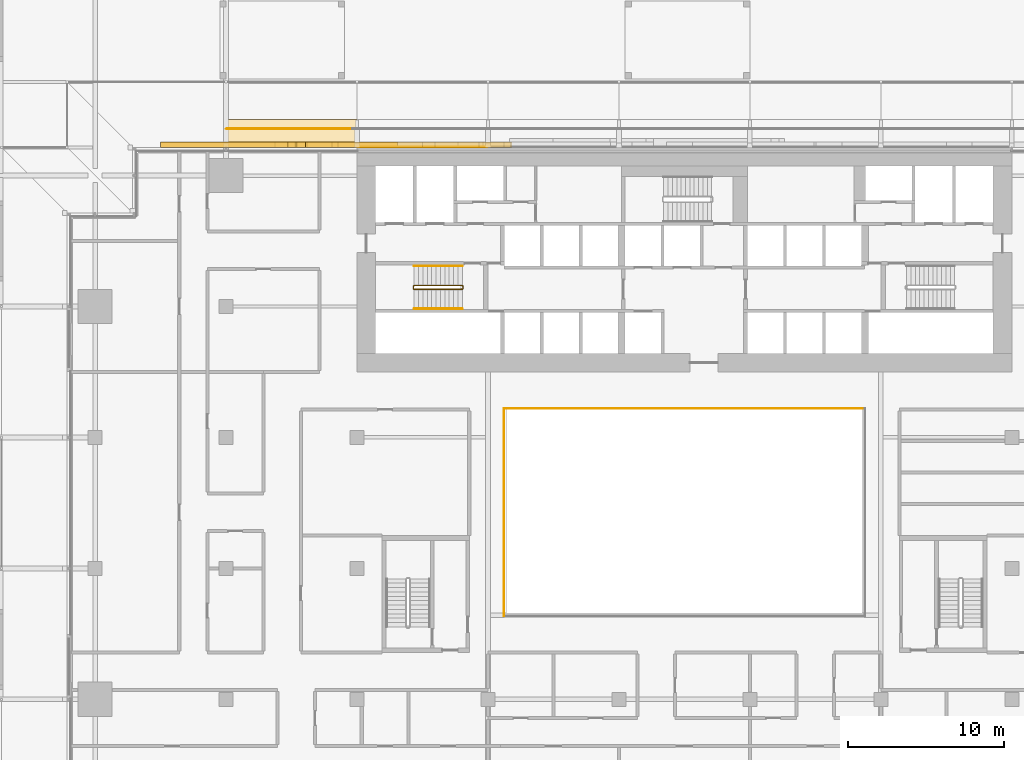
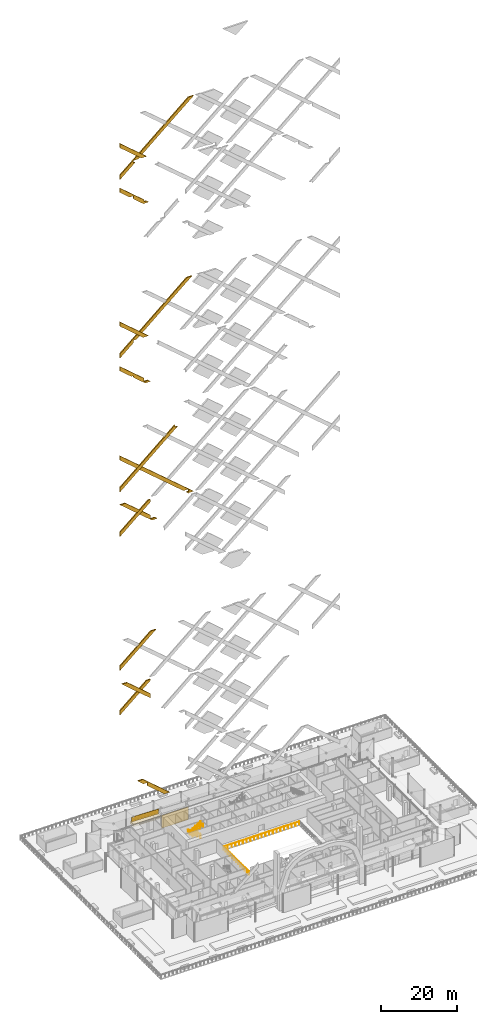
# One storey, part 37 of 60: 16 coverings, 6 railings.
"""IFC4 building model written with IfcOpenShell, lengths in metres."""

from ifc_helpers import new_model, si_unit, direction, frame, origin, origin_2d, place, context, subcontext, project, spatial, polyline, rectangle, circle, outline, extrude, material, layer, layer_set, type_object, element, save


model = new_model("IFC4")

# Units and contexts
model_context = context("Model", 3, precision=1e-05, world=origin(), true_north=direction((0.0, 1.0)))
body_context = subcontext(model_context, "Body", "Model", "MODEL_VIEW")
ifc_project = project(units=[si_unit("LENGTHUNIT", "METRE"), si_unit("AREAUNIT", "SQUARE_METRE"), si_unit("VOLUMEUNIT", "CUBIC_METRE"), si_unit("PLANEANGLEUNIT", "RADIAN"), si_unit("MASSUNIT", "GRAM", prefix="KILO")], contexts=[model_context])

# Site, building, storey
site_placement = place(None, origin())
site = spatial("IfcSite", under=ifc_project, at=site_placement, CompositionType="ELEMENT")
building_placement = place(site_placement, origin())
building = spatial("IfcBuilding", under=site, at=building_placement, Name="Saffron Gate Tower", CompositionType="ELEMENT")
storey_placement = place(building_placement, frame((0.0, 0.0, 19.199951171875)))
storey = spatial("IfcBuildingStorey", under=building, at=storey_placement, Name="L03", CompositionType="ELEMENT", Elevation=19.199951171875)

# Railings
ifc_material_1 = material(Name="Stainless steel and laminated glass", Category="steel")
railing_type_1 = type_object("IfcRailingType", Name="AG1 Atrium edge guard 1100", PredefinedType="GUARDRAIL", material=ifc_material_1)
railing_1_placement = place(storey_placement, frame((76.02001953125, 45.5400390625, 0.0)))
element("IfcRailing", 1, at=railing_1_placement, inside=storey, type_object=railing_type_1, Name="Guard S1-1", PredefinedType="GUARDRAIL", context=body_context, shape_type="SweptSolid", body=[
    extrude(circle(Radius=0.02392578125, at=origin_2d()), frame((0.0, 0.0, 1.076171875), z_axis=(0.0, 1.0, 0.0), x_axis=(-1.0, 0.0, 0.0)), (0.0, 0.0, 1.0), 13.320068359375),
    extrude(circle(Radius=0.02099609375, at=origin_2d()), origin(), (0.0, 0.0, 1.0), 1.052001953125),
    extrude(circle(Radius=0.02099609375, at=origin_2d()), frame((0.0, 1.110107421875, 0.0)), (0.0, 0.0, 1.0), 1.052001953125),
    extrude(circle(Radius=0.02099609375, at=origin_2d()), frame((0.0, 2.219970703125, 0.0)), (0.0, 0.0, 1.0), 1.052001953125),
    extrude(circle(Radius=0.02099609375, at=origin_2d()), frame((0.0, 3.330078125, 0.0)), (0.0, 0.0, 1.0), 1.052001953125),
    extrude(circle(Radius=0.02099609375, at=origin_2d()), frame((0.0, 4.43994140625, 0.0)), (0.0, 0.0, 1.0), 1.052001953125),
    extrude(circle(Radius=0.02099609375, at=origin_2d()), frame((0.0, 5.550048828125, 0.0)), (0.0, 0.0, 1.0), 1.052001953125),
    extrude(circle(Radius=0.02099609375, at=origin_2d()), frame((0.0, 6.66015625, 0.0)), (0.0, 0.0, 1.0), 1.052001953125),
    extrude(circle(Radius=0.02099609375, at=origin_2d()), frame((0.0, 7.77001953125, 0.0)), (0.0, 0.0, 1.0), 1.052001953125),
    extrude(circle(Radius=0.02099609375, at=origin_2d()), frame((0.0, 8.880126953125, 0.0)), (0.0, 0.0, 1.0), 1.052001953125),
    extrude(circle(Radius=0.02099609375, at=origin_2d()), frame((0.0, 9.989990234375, 0.0)), (0.0, 0.0, 1.0), 1.052001953125),
    extrude(circle(Radius=0.02099609375, at=origin_2d()), frame((0.0, 11.10009765625, 0.0)), (0.0, 0.0, 1.0), 1.052001953125),
    extrude(circle(Radius=0.02099609375, at=origin_2d()), frame((0.0, 12.2099609375, 0.0)), (0.0, 0.0, 1.0), 1.052001953125),
    extrude(circle(Radius=0.02099609375, at=origin_2d()), frame((0.0, 13.320068359375, 0.0)), (0.0, 0.0, 1.0), 1.052001953125),
])
railing_2_placement = place(storey_placement, frame((76.139892578125, 58.860107421875, 0.0)))
element("IfcRailing", 2, at=railing_2_placement, inside=storey, type_object=railing_type_1, Name="Guard S1-2", PredefinedType="GUARDRAIL", context=body_context, shape_type="SweptSolid", body=[
    extrude(circle(Radius=0.02392578125, at=origin_2d()), frame((0.0, 0.0, 1.076171875), z_axis=(1.0, 0.0, 0.0), x_axis=(0.0, 1.0, 0.0)), (0.0, 0.0, 1.0), 22.920166015625),
    extrude(circle(Radius=0.02099609375, at=origin_2d()), origin(), (0.0, 0.0, 1.0), 1.052001953125),
    extrude(circle(Radius=0.02099609375, at=origin_2d()), frame((1.14599609375, 0.0, 0.0)), (0.0, 0.0, 1.0), 1.052001953125),
    extrude(circle(Radius=0.02099609375, at=origin_2d()), frame((2.2919921875, 0.0, 0.0)), (0.0, 0.0, 1.0), 1.052001953125),
    extrude(circle(Radius=0.02099609375, at=origin_2d()), frame((3.43798828125, 0.0, 0.0)), (0.0, 0.0, 1.0), 1.052001953125),
    extrude(circle(Radius=0.02099609375, at=origin_2d()), frame((4.583984375, 0.0, 0.0)), (0.0, 0.0, 1.0), 1.052001953125),
    extrude(circle(Radius=0.02099609375, at=origin_2d()), frame((5.72998046875, 0.0, 0.0)), (0.0, 0.0, 1.0), 1.052001953125),
    extrude(circle(Radius=0.02099609375, at=origin_2d()), frame((6.8759765625, 0.0, 0.0)), (0.0, 0.0, 1.0), 1.052001953125),
    extrude(circle(Radius=0.02099609375, at=origin_2d()), frame((8.02197265625, 0.0, 0.0)), (0.0, 0.0, 1.0), 1.052001953125),
    extrude(circle(Radius=0.02099609375, at=origin_2d()), frame((9.16796875, 0.0, 0.0)), (0.0, 0.0, 1.0), 1.052001953125),
    extrude(circle(Radius=0.02099609375, at=origin_2d()), frame((10.31396484375, 0.0, 0.0)), (0.0, 0.0, 1.0), 1.052001953125),
    extrude(circle(Radius=0.02099609375, at=origin_2d()), frame((11.4599609375, 0.0, 0.0)), (0.0, 0.0, 1.0), 1.052001953125),
    extrude(circle(Radius=0.02099609375, at=origin_2d()), frame((12.606201171875, 0.0, 0.0)), (0.0, 0.0, 1.0), 1.052001953125),
    extrude(circle(Radius=0.02099609375, at=origin_2d()), frame((13.752197265625, 0.0, 0.0)), (0.0, 0.0, 1.0), 1.052001953125),
    extrude(circle(Radius=0.02099609375, at=origin_2d()), frame((14.898193359375, 0.0, 0.0)), (0.0, 0.0, 1.0), 1.052001953125),
    extrude(circle(Radius=0.02099609375, at=origin_2d()), frame((16.044189453125, 0.0, 0.0)), (0.0, 0.0, 1.0), 1.052001953125),
    extrude(circle(Radius=0.02099609375, at=origin_2d()), frame((17.190185546875, 0.0, 0.0)), (0.0, 0.0, 1.0), 1.052001953125),
    extrude(circle(Radius=0.02099609375, at=origin_2d()), frame((18.336181640625, 0.0, 0.0)), (0.0, 0.0, 1.0), 1.052001953125),
    extrude(circle(Radius=0.02099609375, at=origin_2d()), frame((19.482177734375, 0.0, 0.0)), (0.0, 0.0, 1.0), 1.052001953125),
    extrude(circle(Radius=0.02099609375, at=origin_2d()), frame((20.628173828125, 0.0, 0.0)), (0.0, 0.0, 1.0), 1.052001953125),
    extrude(circle(Radius=0.02099609375, at=origin_2d()), frame((21.774169921875, 0.0, 0.0)), (0.0, 0.0, 1.0), 1.052001953125),
    extrude(circle(Radius=0.02099609375, at=origin_2d()), frame((22.920166015625, 0.0, 0.0)), (0.0, 0.0, 1.0), 1.052001953125),
])

# Covering
ifc_material_2 = material(Name="Ceramic-printed bronze insulated panel")
ifc_layer_1 = layer(ifc_material_2, 0.0400390625)
ifc_layer_set_1 = layer_set([ifc_layer_1], Name="CLD1 ceramic-printed cladding panel 40")
covering_type_1 = type_object("IfcCoveringType", Name="CLD1 ceramic-printed cladding panel 40", PredefinedType="CLADDING", material=ifc_layer_set_1)
covering_1_placement = place(storey_placement, origin())
element("IfcCovering", 3, at=covering_1_placement, inside=storey, type_object=covering_type_1, Name="CLADDING ceramic-printed panel", PredefinedType="CLADDING", context=body_context, shape_type="SweptSolid", body=[
    extrude(outline(polyline([(74.9599609375, 75.639892578125), (66.639892578125, 75.639892578125), (66.639892578125, 75.60009765625), (74.9599609375, 75.60009765625), (74.9599609375, 75.639892578125)])), origin(), (0.0, 0.0, 1.0), 4.199951171875),
])

# Railings
railing_type_2 = type_object("IfcRailingType", Name="CR1 Stair guard 1100", PredefinedType="GUARDRAIL", material=ifc_material_1)
railing_3_placement = place(storey_placement, frame((73.39990234375, 66.550048828125, 0.0)))
element("IfcRailing", 4, at=railing_3_placement, inside=storey, type_object=railing_type_2, Name="L03 ST-A stair guard 1", PredefinedType="GUARDRAIL", context=body_context, shape_type="SweptSolid", body=[
    extrude(circle(Radius=0.02392578125, at=origin_2d()), frame((0.0, 0.0, 1.076171875), z_axis=(0.0, 1.0, 0.0), x_axis=(-1.0, 0.0, 0.0)), (0.0, 0.0, 1.0), 0.14990234375),
    extrude(circle(Radius=0.02392578125, at=origin_2d()), frame((0.0, 0.14990234375, 1.076171875), z_axis=(-0.248583702486, 0.249802250048, 0.935844527007), x_axis=(-0.708833529934, -0.705375805398, 0.0)), (0.0, 0.0, 1.0), 0.200439453125),
    extrude(circle(Radius=0.02392578125, at=origin_2d()), frame((-0.0498046875, 0.199951171875, 1.263671875), z_axis=(-0.830913701846, 0.0, 0.55640131208), x_axis=(0.0, -1.0, 0.0)), (0.0, 0.0, 1.0), 3.706787109375),
    extrude(circle(Radius=0.02392578125, at=origin_2d()), frame((-3.1298828125, 0.199951171875, 3.326171875), z_axis=(-0.707106781187, -0.707106781187, 0.0), x_axis=(0.707106781187, -0.707106781187, 0.0)), (0.0, 0.0, 1.0), 0.07080078125),
    extrude(circle(Radius=0.02392578125, at=origin_2d()), frame((-3.179931640625, 0.14990234375, 3.326171875), z_axis=(0.0, -1.0, 0.0), x_axis=(1.0, 0.0, 0.0)), (0.0, 0.0, 1.0), 0.14990234375),
    extrude(circle(Radius=0.02392578125, at=origin_2d()), frame((-3.179931640625, 0.0, 3.326171875), z_axis=(0.249726431254, -0.249726431254, 0.935560483917), x_axis=(0.707106781187, 0.707106781187, 0.0)), (0.0, 0.0, 1.0), 0.200439453125),
    extrude(circle(Radius=0.02392578125, at=origin_2d()), frame((-3.1298828125, -0.050048828125, 3.513671875), z_axis=(0.830913701846, 0.0, 0.55640131208), x_axis=(0.0, 1.0, 0.0)), (0.0, 0.0, 1.0), 3.706787109375),
    extrude(circle(Radius=0.02099609375, at=origin_2d()), origin(), (0.0, 0.0, 1.0), 1.052001953125),
    extrude(circle(Radius=0.02099609375, at=origin_2d()), frame((0.0, 0.14990234375, 0.0)), (0.0, 0.0, 1.0), 1.052001953125),
    extrude(circle(Radius=0.02099609375, at=origin_2d()), frame((-0.0498046875, 0.199951171875, 0.1875)), (0.0, 0.0, 1.0), 1.052001953125),
    extrude(circle(Radius=0.02099609375, at=origin_2d()), frame((-0.81982421875, 0.199951171875, 0.703125)), (0.0, 0.0, 1.0), 1.052001953125),
    extrude(circle(Radius=0.02099609375, at=origin_2d()), frame((-1.58984375, 0.199951171875, 1.21875)), (0.0, 0.0, 1.0), 1.052001953125),
    extrude(circle(Radius=0.02099609375, at=origin_2d()), frame((-2.35986328125, 0.199951171875, 1.734375)), (0.0, 0.0, 1.0), 1.052001953125),
    extrude(circle(Radius=0.02099609375, at=origin_2d()), frame((-3.1298828125, 0.199951171875, 2.25)), (0.0, 0.0, 1.0), 1.052001953125),
    extrude(circle(Radius=0.02099609375, at=origin_2d()), frame((-3.179931640625, 0.14990234375, 2.25)), (0.0, 0.0, 1.0), 1.052001953125),
    extrude(circle(Radius=0.02099609375, at=origin_2d()), frame((-3.179931640625, 0.0, 2.25)), (0.0, 0.0, 1.0), 1.052001953125),
    extrude(circle(Radius=0.02099609375, at=origin_2d()), frame((-3.1298828125, -0.050048828125, 2.4375)), (0.0, 0.0, 1.0), 1.052001953125),
    extrude(circle(Radius=0.02099609375, at=origin_2d()), frame((-2.35986328125, -0.050048828125, 2.953125)), (0.0, 0.0, 1.0), 1.052001953125),
    extrude(circle(Radius=0.02099609375, at=origin_2d()), frame((-1.58984375, -0.050048828125, 3.46875)), (0.0, 0.0, 1.0), 1.052001953125),
    extrude(circle(Radius=0.02099609375, at=origin_2d()), frame((-0.81982421875, -0.050048828125, 3.984375)), (0.0, 0.0, 1.0), 1.052001953125),
    extrude(circle(Radius=0.02099609375, at=origin_2d()), frame((-0.0498046875, -0.050048828125, 4.5)), (0.0, 0.0, 1.0), 1.052001953125),
])
ifc_material_3 = material(Name="Stainless steel", Category="steel")
railing_type_3 = type_object("IfcRailingType", Name="CR2 Stair handrail 900", PredefinedType="HANDRAIL", material=ifc_material_3)
railing_4_placement = place(storey_placement, frame((73.35009765625, 68.0, 0.1875)))
element("IfcRailing", 5, at=railing_4_placement, inside=storey, type_object=railing_type_3, Name="L03 ST-A stair handrail 1", PredefinedType="HANDRAIL", context=body_context, shape_type="SweptSolid", body=[
    extrude(circle(Radius=0.02392578125, at=origin_2d()), frame((0.0, 0.0, 0.8759765625), z_axis=(-0.830913701846, 0.0, 0.55640131208), x_axis=(0.0, -1.0, 0.0)), (0.0, 0.0, 1.0), 3.706787109375),
    extrude(circle(Radius=0.02099609375, at=origin_2d()), origin(), (0.0, 0.0, 1.0), 0.851806640625),
    extrude(circle(Radius=0.02099609375, at=origin_2d()), frame((-0.77001953125, 0.0, 0.515625)), (0.0, 0.0, 1.0), 0.851806640625),
    extrude(circle(Radius=0.02099609375, at=origin_2d()), frame((-1.5400390625, 0.0, 1.03125)), (0.0, 0.0, 1.0), 0.851806640625),
    extrude(circle(Radius=0.02099609375, at=origin_2d()), frame((-2.31005859375, 0.0, 1.546875)), (0.0, 0.0, 1.0), 0.851806640625),
    extrude(circle(Radius=0.02099609375, at=origin_2d()), frame((-3.080078125, 0.0, 2.0625)), (0.0, 0.0, 1.0), 0.851806640625),
])
railing_5_placement = place(storey_placement, frame((70.27001953125, 65.25, 2.4375)))
element("IfcRailing", 6, at=railing_5_placement, inside=storey, type_object=railing_type_3, Name="L03 ST-A stair handrail 2", PredefinedType="HANDRAIL", context=body_context, shape_type="SweptSolid", body=[
    extrude(circle(Radius=0.02392578125, at=origin_2d()), frame((0.0, 0.0, 0.8759765625), z_axis=(0.830913701846, 0.0, 0.55640131208), x_axis=(0.0, 1.0, 0.0)), (0.0, 0.0, 1.0), 3.706787109375),
    extrude(circle(Radius=0.02099609375, at=origin_2d()), origin(), (0.0, 0.0, 1.0), 0.851806640625),
    extrude(circle(Radius=0.02099609375, at=origin_2d()), frame((0.77001953125, 0.0, 0.515625)), (0.0, 0.0, 1.0), 0.851806640625),
    extrude(circle(Radius=0.02099609375, at=origin_2d()), frame((1.5400390625, 0.0, 1.03125)), (0.0, 0.0, 1.0), 0.851806640625),
    extrude(circle(Radius=0.02099609375, at=origin_2d()), frame((2.31005859375, 0.0, 1.546875)), (0.0, 0.0, 1.0), 0.851806640625),
    extrude(circle(Radius=0.02099609375, at=origin_2d()), frame((3.080078125, 0.0, 2.0625)), (0.0, 0.0, 1.0), 0.851806640625),
])

# Covering
ifc_material_4 = material(Name="Timber, thermally modified ash", Category="wood")
ifc_layer_2 = layer(ifc_material_4, 0.800048828125)
ifc_layer_set_2 = layer_set([ifc_layer_2], Name="LD1 ledge timber")
covering_type_2 = type_object("IfcCoveringType", Name="LD1 ledge timber", PredefinedType="CLADDING", material=ifc_layer_set_2)
covering_2_placement = place(storey_placement, frame((66.60009765625, 75.60009765625, 4.07666015625), z_axis=(0.028790339263, 0.0, 0.999585472266), x_axis=(-0.999585472266, 0.0, 0.028790339263)))
element("IfcCovering", 7, at=covering_2_placement, inside=storey, type_object=covering_type_2, Name="LEDGE", PredefinedType="CLADDING", context=body_context, shape_type="SweptSolid", body=[
    extrude(outline(polyline([(0.0, 0.0), (8.403630022085892, 0.0), (8.403630022085892, -1.7998046875), (0.0, -1.7998046875), (0.0, 0.0)])), origin(), (0.0, 0.0, -1.0), 0.800048828125),
])

# Railing
railing_type_4 = type_object("IfcRailingType", Name="LG1 ledge balustrade", PredefinedType="BALUSTRADE", material=ifc_material_4)
railing_6_placement = place(storey_placement, frame((66.60009765625, 76.800048828125, 4.07666015625)))
element("IfcRailing", 8, at=railing_6_placement, inside=storey, type_object=railing_type_4, Name="LEDGE BALUSTRADE", PredefinedType="BALUSTRADE", context=body_context, shape_type="SweptSolid", body=[
    extrude(rectangle(XDim=0.06005859375, YDim=1.60009765625, at=origin_2d()), frame((0.0, 0.0, 0.800048828125), z_axis=(-0.999585472266, 0.0, 0.028790339263), x_axis=(0.0, -1.0, 0.0)), (0.0, 0.0, 1.0), 8.403564453125),
])

# Coverings
ifc_layer_3 = layer(ifc_material_2, 0.35009765625)
ifc_layer_set_3 = layer_set([ifc_layer_3], Name="LZ1 lozenge lattice bar 1600")
covering_type_3 = type_object("IfcCoveringType", Name="LZ1 lozenge lattice bar 1600", PredefinedType="CLADDING", material=ifc_layer_set_3)
covering_3_placement = place(storey_placement, frame((62.151611328125, 75.949951171875, 218.44140625), z_axis=(0.0, 1.0, 0.0), x_axis=(-0.999582532533, 0.0, 0.028892224801)))
element("IfcCovering", 9, at=covering_3_placement, inside=storey, type_object=covering_type_3, Name="CLADDING lozenge lattice bar", PredefinedType="CLADDING", context=body_context, shape_type="SweptSolid", body=[
    extrude(outline(polyline([(0.0, 0.0), (1.6562089914967124, 0.0), (8.310459017001026, 5.377860087756257), (8.350087073381111, 6.748869528130542), (0.0, 0.0)])), origin(), (0.0, 0.0, -1.0), 0.35009765625),
])
covering_4_placement = place(storey_placement, frame((62.760009765625, 75.949951171875, 203.52001953125), z_axis=(0.0, 1.0, 0.0), x_axis=(-1.0, 0.0, 0.0)))
element("IfcCovering", 10, at=covering_4_placement, inside=storey, type_object=covering_type_3, Name="CLADDING lozenge lattice bar", PredefinedType="CLADDING", context=body_context, shape_type="SweptSolid", body=[
    extrude(outline(polyline([(0.0, 0.0), (1.409912109375, 0.0), (1.409912109375, -0.162841796875), (4.56005859375, 2.537109375), (4.56005859375, 3.60009765625), (5.800048828125, 3.60009765625), (8.760009765625, 6.13720703125), (8.760009765625, 7.508544921875), (1.409912109375, 1.20849609375), (1.409912109375, 0.580078125), (0.6767578125, 0.580078125), (0.0, 0.0)])), origin(), (0.0, 0.0, -1.0), 0.35009765625),
])
covering_5_placement = place(storey_placement, frame((62.69482421875, 75.949951171875, 160.375732421875), z_axis=(0.0, 1.0, 0.0), x_axis=(-0.999582532533, 0.0, 0.028892224801)))
element("IfcCovering", 11, at=covering_5_placement, inside=storey, type_object=covering_type_3, Name="CLADDING lozenge lattice bar", PredefinedType="CLADDING", context=body_context, shape_type="SweptSolid", body=[
    extrude(outline(polyline([(0.0, 0.0), (1.6562089914967124, 0.0), (8.866903719102483, 5.8277913064797255), (8.906524721716748, 7.19855670814978), (0.0, 0.0)])), origin(), (0.0, 0.0, -1.0), 0.35009765625),
])
covering_6_placement = place(storey_placement, frame((63.284912109375, 75.949951171875, 145.469970703125), z_axis=(0.0, 1.0, 0.0), x_axis=(-1.0, 0.0, 0.0)))
element("IfcCovering", 12, at=covering_6_placement, inside=storey, type_object=covering_type_3, Name="CLADDING lozenge lattice bar", PredefinedType="CLADDING", context=body_context, shape_type="SweptSolid", body=[
    extrude(outline(polyline([(0.0, 0.0), (1.599853515625, 0.0), (5.0849609375, 2.9873046875), (5.0849609375, 3.60009765625), (5.7998046875, 3.60009765625), (9.284912109375, 6.587158203125), (9.284912109375, 7.958740234375), (1.934814453125, 1.65869140625), (1.934814453125, 0.580078125), (0.676513671875, 0.580078125), (0.0, 0.0)])), origin(), (0.0, 0.0, -1.0), 0.35009765625),
])
covering_7_placement = place(storey_placement, frame((76.458251953125, 75.949951171875, 105.378662109375), z_axis=(0.0, 1.0, 0.0), x_axis=(-0.999585645676, 0.0, 0.02878431794)))
element("IfcCovering", 13, at=covering_7_placement, inside=storey, type_object=covering_type_3, Name="CLADDING lozenge lattice bar", PredefinedType="CLADDING", context=body_context, shape_type="SweptSolid", body=[
    extrude(outline(polyline([(0.0, 0.0), (1.4588564365981707, -6.938893903907228e-18), (1.4541480642788676, -0.16350644106510198), (2.151325627760418, 0.4001554277697885), (1.4703814076484052, 0.40022472141308546), (1.4934102674847578, 1.1999420458464276), (3.14057573431012, 1.199892772182621), (22.96356434638841, 17.224564504353797), (23.003044399656837, 18.59557821465789), (0.0, 0.0)])), origin(), (0.0, 0.0, -1.0), 0.35009765625),
])
covering_8_placement = place(storey_placement, frame((65.385009765625, 75.949951171875, 100.469970703125), z_axis=(0.0, 1.0, 0.0), x_axis=(-1.0, 0.0, 0.0)))
element("IfcCovering", 14, at=covering_8_placement, inside=storey, type_object=covering_type_3, Name="CLADDING lozenge lattice bar", PredefinedType="CLADDING", context=body_context, shape_type="SweptSolid", body=[
    extrude(outline(polyline([(0.0, 0.0), (1.60009765625, 0.0), (11.34814453125, 8.355712890625), (9.6923828125, 8.307861328125), (2.0849609375, 1.787109375), (2.0849609375, 0.580078125), (0.6767578125, 0.580078125), (0.0, 0.0)])), origin(), (0.0, 0.0, -1.0), 0.35009765625),
])
covering_9_placement = place(storey_placement, frame((63.300048828125, 75.949951171875, 44.6572265625), z_axis=(0.0, 1.0, 0.0), x_axis=(0.0, 0.0, -1.0)))
element("IfcCovering", 15, at=covering_9_placement, inside=storey, type_object=covering_type_3, Name="CLADDING lozenge lattice bar", PredefinedType="CLADDING", context=body_context, shape_type="SweptSolid", body=[
    extrude(outline(polyline([(0.0, 0.0), (1.37158203125, 0.0), (-6.102783203125, 8.719970703125), (-6.054931640625, 7.064208984375), (0.0, 0.0)])), origin(), (0.0, 0.0, -1.0), 0.35009765625),
])
covering_10_placement = place(storey_placement, frame((69.200439453125, 75.949951171875, 10.799560546875), z_axis=(0.0, 1.0, 0.0), x_axis=(-0.999586778905, 0.0, 0.028744937603)))
element("IfcCovering", 16, at=covering_10_placement, inside=storey, type_object=covering_type_3, Name="CLADDING lozenge lattice bar", PredefinedType="CLADDING", context=body_context, shape_type="SweptSolid", body=[
    extrude(outline(polyline([(0.0, 0.0), (1.6562019557102479, 0.0), (6.925858104776168, 4.260196575273021), (6.956413636593511, 5.322745607341748), (8.195891480846397, 5.2871021654262025), (9.964282475028016, 6.716841143696385), (8.364846012883222, 6.7628358509841355), (0.0, 0.0)])), origin(), (0.0, 0.0, -1.0), 0.35009765625),
])
covering_11_placement = place(storey_placement, frame((54.0, 75.949951171875, 42.343017578125), z_axis=(0.0, 1.0, 0.0), x_axis=(0.759263012835, 0.0, 0.650783894501)))
element("IfcCovering", 17, at=covering_11_placement, inside=storey, type_object=covering_type_3, Name="CLADDING lozenge lattice bar", PredefinedType="CLADDING", context=body_context, shape_type="SweptSolid", body=[
    extrude(outline(polyline([(0.0, 0.0), (10.75325762382299, 0.0), (11.594108998537452, 0.763803011973196), (11.356261466782708, 1.0412973308729345), (-0.8926034959239451, 1.041391505396615), (0.0, 0.0)])), origin(), (0.0, 0.0, -1.0), 0.35009765625),
])
covering_12_placement = place(storey_placement, frame((54.0, 75.949951171875, 56.742919921875), z_axis=(0.0, 1.0, 0.0), x_axis=(0.759253818379, 0.0, 0.650794621426)))
element("IfcCovering", 18, at=covering_12_placement, inside=storey, type_object=covering_type_3, Name="CLADDING lozenge lattice bar", PredefinedType="CLADDING", context=body_context, shape_type="SweptSolid", body=[
    extrude(outline(polyline([(0.0, 0.0), (12.380447903204717, 0.0), (13.595328158491757, 1.0413349484437928), (-0.8924593233763788, 1.0411935297447832), (0.0, 0.0)])), origin(), (0.0, 0.0, -1.0), 0.35009765625),
])
covering_13_placement = place(storey_placement, frame((54.0, 75.949951171875, 99.94287109375), z_axis=(0.0, 1.0, 0.0), x_axis=(0.759259619827, 0.0, 0.650787853067)))
element("IfcCovering", 19, at=covering_13_placement, inside=storey, type_object=covering_type_3, Name="CLADDING lozenge lattice bar", PredefinedType="CLADDING", context=body_context, shape_type="SweptSolid", body=[
    extrude(outline(polyline([(0.0, 0.0), (11.422453131179854, 8.881784197001252e-16), (11.887086657017072, 0.422048338439855), (11.356414921361779, 1.0411711729670161), (-0.8924500416693963, 1.0412014854907372), (0.0, 0.0)])), origin(), (0.0, 0.0, -1.0), 0.35009765625),
])
covering_14_placement = place(storey_placement, frame((54.0, 75.949951171875, 114.343017578125), z_axis=(0.0, 1.0, 0.0), x_axis=(0.759259717745, 0.0, 0.650787738829)))
element("IfcCovering", 20, at=covering_14_placement, inside=storey, type_object=covering_type_3, Name="CLADDING lozenge lattice bar", PredefinedType="CLADDING", context=body_context, shape_type="SweptSolid", body=[
    extrude(outline(polyline([(0.0, 0.0), (22.126880216987683, 0.0), (21.675968204586255, 0.5260691110742162), (22.276925237039606, 1.0411701484968479), (-0.8926087687354544, 1.0413869859108342), (0.0, 0.0)])), origin(), (0.0, 0.0, -1.0), 0.35009765625),
])
covering_15_placement = place(storey_placement, frame((54.0, 75.949951171875, 157.54296875), z_axis=(0.0, 1.0, 0.0), x_axis=(0.759259929986, 0.0, 0.650787491212)))
element("IfcCovering", 21, at=covering_15_placement, inside=storey, type_object=covering_type_3, Name="CLADDING lozenge lattice bar", PredefinedType="CLADDING", context=body_context, shape_type="SweptSolid", body=[
    extrude(outline(polyline([(0.0, 0.0), (5.178896911262797, 0.0), (5.377318232299676, 0.18004173234591203), (5.531594270865742, 5.1158123161254565e-05), (26.901309865688603, -5.8109643159554025e-05), (28.116014533949865, 1.0411065460967333), (5.730125918509737, 1.0413004520717677), (5.116749021951222, 0.48404229025045487), (4.639144725422285, 1.0412530689462207), (-0.8926084291083046, 1.0413872770169035), (0.0, 0.0)])), origin(), (0.0, 0.0, -1.0), 0.35009765625),
])
covering_16_placement = place(storey_placement, frame((54.0, 75.949951171875, 215.142822265625), z_axis=(0.0, 1.0, 0.0), x_axis=(0.759253479542, 0.0, 0.650795016732)))
element("IfcCovering", 22, at=covering_16_placement, inside=storey, type_object=covering_type_3, Name="CLADDING lozenge lattice bar", PredefinedType="CLADDING", context=body_context, shape_type="SweptSolid", body=[
    extrude(outline(polyline([(0.0, 0.0), (27.592828661786253, 0.0), (28.8077083749015, 1.0413355809717402), (6.399125740560093, 1.0411486113613706), (5.40972908995188, 0.14228064838753118), (4.88906129946601, 0.7497205049451563), (5.209980337633543, 1.0411958667995527), (-0.8924598654742544, 1.0411930650851935), (0.0, 0.0)])), origin(), (0.0, 0.0, -1.0), 0.35009765625),
])

save(model, "model.ifc")
